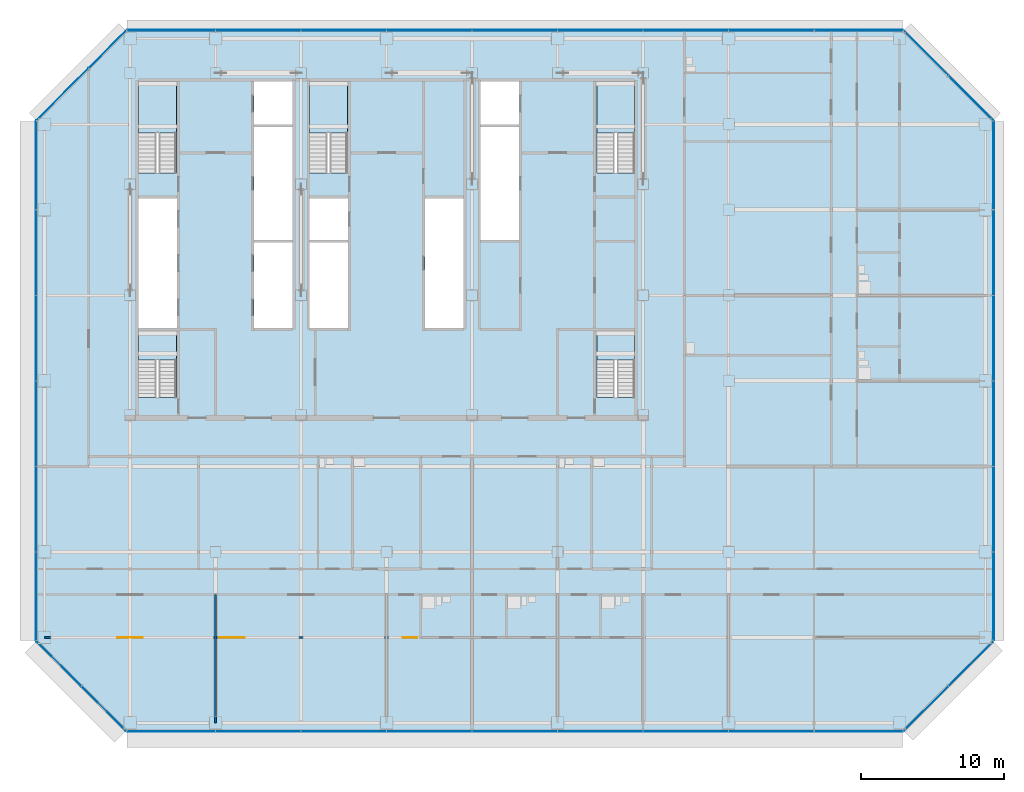
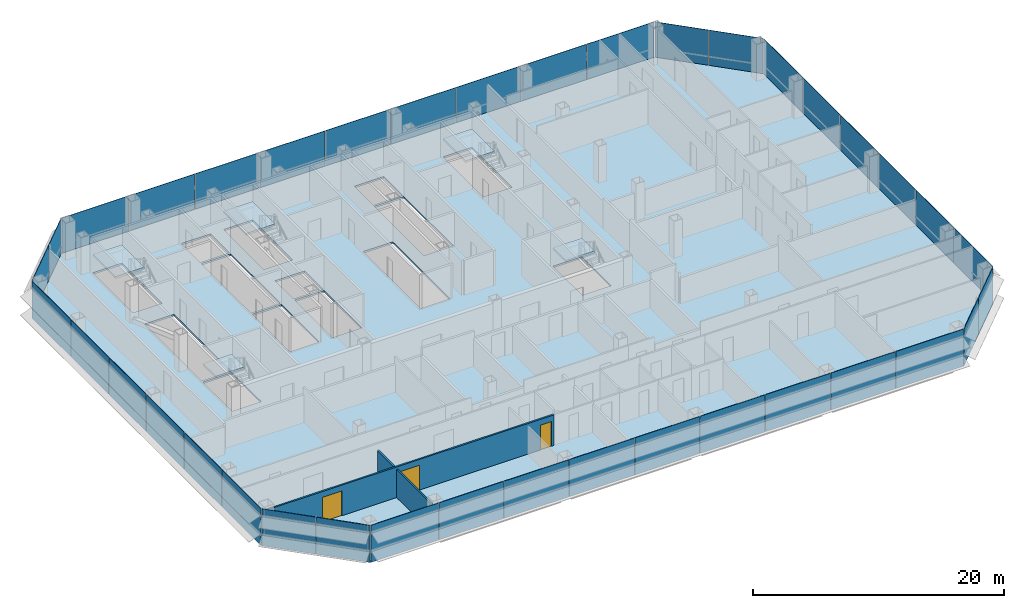
# One storey, part 19 of 26: 38 plates, 6 slabs, 3 doors, 2 walls, 3 openings, 13 elements without a shape of their own.
"""IFC4 building model written with IfcOpenShell, lengths in metres."""

import ifcopenshell
import ifcopenshell.guid

model = None  # the IFC model being written
_history = None  # IfcOwnerHistory: only IFC2X3 demands one
_inside = {}  # id of a spatial element -> (the spatial element, [elements in it])
_under = {}  # id of a project, library or spatial element -> (it, [spatial elements below it])
_declared = {}  # id of a project -> (the project, [libraries it declares])
_typed = {}  # id of a type object -> (the type object, [elements of that type])
_made_of = {}  # id of a material, layer set ... -> (it, [elements and type objects made of it])


def new_model(schema):
    """Start an empty IFC model of exactly this schema.

    Asked for "IFC4X3", IfcOpenShell would pick the latest addendum, in which some entities
    have other attributes; the version numbers below select the first issue.
    IFC2X3 requires an IfcOwnerHistory on every rooted entity: one is made here for all.
    """
    global model, _history
    if schema == "IFC4X3":
        model = ifcopenshell.file(schema_version=(4, 3, 0, 0))
    else:
        model = ifcopenshell.file(schema=schema)
    _inside.clear()
    _under.clear()
    _declared.clear()
    _typed.clear()
    _made_of.clear()
    _history = None
    if model.schema == "IFC2X3":
        org = make("IfcOrganization", Name="unknown")
        user = make(
            "IfcPersonAndOrganization",
            ThePerson=make("IfcPerson", FamilyName="unknown"),
            TheOrganization=org,
        )
        app = make(
            "IfcApplication",
            ApplicationDeveloper=org,
            Version="unknown",
            ApplicationFullName="unknown",
            ApplicationIdentifier="unknown",
        )
        _history = make(
            "IfcOwnerHistory",
            OwningUser=user,
            OwningApplication=app,
            ChangeAction="ADDED",
            CreationDate=0,
        )
    return model


def make(cls, **values):
    """One entity of the class cls with the attributes given. An attribute that is None is left unset."""
    return model.create_entity(
        cls, **{name: value for name, value in values.items() if value is not None}
    )


def rooted(cls, **values):
    """An entity with a GlobalId (a new one), such as an element, a storey or a relation."""
    return make(cls, GlobalId=ifcopenshell.guid.new(), OwnerHistory=_history, **values)


def si_unit(unit_type, name, prefix=None):
    """IfcSIUnit, for example si_unit("LENGTHUNIT", "METRE", prefix="MILLI")."""
    return make("IfcSIUnit", UnitType=unit_type, Prefix=prefix, Name=name)


def assignment(units):
    """IfcUnitAssignment: the units of a project."""
    return None if units is None else make("IfcUnitAssignment", Units=units)


def point(xyz):
    """IfcCartesianPoint."""
    return None if xyz is None else make("IfcCartesianPoint", Coordinates=xyz)


def direction(xyz):
    """IfcDirection."""
    return None if xyz is None else make("IfcDirection", DirectionRatios=xyz)


def frame(location, z_axis=None, x_axis=None):
    """IfcAxis2Placement3D, a coordinate frame: its origin and axes. An axis left out is left unset."""
    return make(
        "IfcAxis2Placement3D",
        Location=point(location),
        Axis=direction(z_axis),
        RefDirection=direction(x_axis),
    )


def frame_2d(location, x_axis=None):
    """IfcAxis2Placement2D, a coordinate frame in the plane: its origin and x axis."""
    return make(
        "IfcAxis2Placement2D", Location=point(location), RefDirection=direction(x_axis)
    )


def origin():
    """The frame at (0, 0, 0) with its axes left unset."""
    return frame((0.0, 0.0, 0.0))


def origin_2d():
    """The frame at (0, 0) in the plane with its x axis left unset."""
    return frame_2d((0.0, 0.0))


def place(relative_to, where):
    """IfcLocalPlacement: puts the frame where relative to a parent placement (None: the world)."""
    return make(
        "IfcLocalPlacement", PlacementRelTo=relative_to, RelativePlacement=where
    )


def context(
    kind, dimensions, precision=None, world=None, true_north=None, identifier=None
):
    """IfcGeometricRepresentationContext, for example the 3D "Model" context."""
    return make(
        "IfcGeometricRepresentationContext",
        ContextIdentifier=identifier,
        ContextType=kind,
        CoordinateSpaceDimension=dimensions,
        Precision=precision,
        WorldCoordinateSystem=world,
        TrueNorth=true_north,
    )


def subcontext(parent, identifier, kind, view, scale=None):
    """IfcGeometricRepresentationSubContext, for example "Body" below "Model"."""
    return make(
        "IfcGeometricRepresentationSubContext",
        ContextIdentifier=identifier,
        ContextType=kind,
        ParentContext=parent,
        TargetScale=scale,
        TargetView=view,
    )


def project(units=None, contexts=None):
    """IfcProject with its units and contexts."""
    return rooted(
        "IfcProject",
        Name="project",
        RepresentationContexts=contexts,
        UnitsInContext=assignment(units),
    )


def spatial(cls, under=None, at=None, **own):
    """A site, building, storey or space (cls), placed at a placement, below another one or the project."""
    s = rooted(cls, ObjectPlacement=at, **own)
    if under is not None:
        _under.setdefault(under.id(), (under, []))[1].append(s)
    return s


def polyline(points):
    """IfcPolyline through the points."""
    return make("IfcPolyline", Points=[point(p) for p in points])


def profile(cls, at=None, kind="AREA", **sizes):
    """A parametric profile (cls). Its sizes go by their IFC names, for example OverallWidth=200.0."""
    return make(cls, ProfileType=kind, Position=at, **sizes)


def rectangle(**sizes):
    """IfcRectangleProfileDef."""
    return profile("IfcRectangleProfileDef", **sizes)


def outline(outer, holes=None, kind="AREA"):
    """IfcArbitraryClosedProfileDef: a profile drawn as a closed curve; with holes, ...WithVoids."""
    if holes is None:
        return make("IfcArbitraryClosedProfileDef", ProfileType=kind, OuterCurve=outer)
    return make(
        "IfcArbitraryProfileDefWithVoids",
        ProfileType=kind,
        OuterCurve=outer,
        InnerCurves=holes,
    )


def extrude(swept, where, along, depth):
    """IfcExtrudedAreaSolid: the profile swept, set in the frame where, extruded along a direction by depth."""
    return make(
        "IfcExtrudedAreaSolid",
        SweptArea=swept,
        Position=where,
        ExtrudedDirection=direction(along),
        Depth=depth,
    )


def shape(context_of_items, identifier, shape_type, items):
    """IfcShapeRepresentation: the items that make up one representation, for example the "Body"."""
    return make(
        "IfcShapeRepresentation",
        ContextOfItems=context_of_items,
        RepresentationIdentifier=identifier,
        RepresentationType=shape_type,
        Items=items,
    )


def material(Name=None, Category=None):
    """IfcMaterial."""
    return make("IfcMaterial", Name=Name, Category=Category)


def layer(
    of_material, thickness, ventilated=None, Name=None, Category=None, Priority=None
):
    """IfcMaterialLayer: one layer of a wall or slab, of a material (None: an air gap)."""
    return make(
        "IfcMaterialLayer",
        Material=of_material,
        LayerThickness=thickness,
        IsVentilated=ventilated,
        Name=Name,
        Category=Category,
        Priority=Priority,
    )


def layer_set(layers, Name=None):
    """IfcMaterialLayerSet."""
    return make("IfcMaterialLayerSet", MaterialLayers=layers, LayerSetName=Name)


def made_of(thing, what):
    """Note that an element or type object is made of a material, layer set ...; save() writes the relation."""
    if what is not None:
        _made_of.setdefault(what.id(), (what, []))[1].append(thing)
    return thing


def type_object(cls, material=None, **own):
    """A type object (cls), such as IfcWallType, which elements share."""
    return made_of(rooted(cls, **own), material)


def element(
    cls,
    number,
    at=None,
    inside=None,
    cuts=None,
    type_object=None,
    material=None,
    context=None,
    identifier="Body",
    shape_type=None,
    held_by="IfcProductDefinitionShape",
    body=None,
    shapes=None,
    **own,
):
    """One element of the class cls, such as IfcWall. Its Tag is "e" and its number.

    at: its placement. inside: the storey or other place that contains it. cuts: it is an
    opening in that element (IfcRelVoidsElement). A single representation is given by context,
    identifier, shape_type and body (its items); several are given by shapes. held_by: the class
    of the entity that holds the representations. save() writes the other relations.
    """
    e = rooted(cls, Tag="e%d" % number, ObjectPlacement=at, **own)
    if body is not None:
        shapes = [shape(context, identifier, shape_type, body)]
    if shapes is not None:
        e.Representation = make(held_by, Representations=shapes)
    if inside is not None:
        _inside.setdefault(inside.id(), (inside, []))[1].append(e)
    if cuts is not None:
        rooted(
            "IfcRelVoidsElement", RelatingBuildingElement=cuts, RelatedOpeningElement=e
        )
    if type_object is not None:
        _typed.setdefault(type_object.id(), (type_object, []))[1].append(e)
    return made_of(e, material)


def fill(opening, filler):
    """IfcRelFillsElement: the door or window that sits in an opening."""
    return rooted(
        "IfcRelFillsElement",
        RelatingOpeningElement=opening,
        RelatedBuildingElement=filler,
    )


def aggregate(whole, parts):
    """IfcRelAggregates: a whole, such as a stair, and the parts it consists of."""
    return rooted("IfcRelAggregates", RelatingObject=whole, RelatedObjects=parts)


def save(model, path):
    """Write the relations noted so far, then the file.

    IfcRelAggregates (storeys below a building ...), IfcRelContainedInSpatialStructure (elements
    in a storey), IfcRelDefinesByType, IfcRelAssociatesMaterial and IfcRelDeclares: one each for
    every whole, place, type object, material and project.
    """
    for whole, parts in _under.values():
        aggregate(whole, parts)
    for where, things in _inside.values():
        rooted(
            "IfcRelContainedInSpatialStructure",
            RelatedElements=things,
            RelatingStructure=where,
        )
    for kind, things in _typed.values():
        rooted("IfcRelDefinesByType", RelatedObjects=things, RelatingType=kind)
    for what, things in _made_of.values():
        rooted("IfcRelAssociatesMaterial", RelatedObjects=things, RelatingMaterial=what)
    for by, libraries in _declared.values():
        rooted("IfcRelDeclares", RelatingContext=by, RelatedDefinitions=libraries)
    model.write(path)


model = new_model("IFC4")

# Units and contexts
model_context = context("Model", 3, precision=1e-05, world=origin(), true_north=direction((0.0, 1.0)))
body_context = subcontext(model_context, "Body", "Model", "MODEL_VIEW")
ifc_project = project(units=[si_unit("LENGTHUNIT", "METRE"), si_unit("AREAUNIT", "SQUARE_METRE"), si_unit("VOLUMEUNIT", "CUBIC_METRE"), si_unit("PLANEANGLEUNIT", "RADIAN"), si_unit("MASSUNIT", "GRAM", prefix="KILO")], contexts=[model_context])

# Site, building, storey
site_placement = place(None, origin())
site = spatial("IfcSite", under=ifc_project, at=site_placement, CompositionType="ELEMENT")
building_placement = place(site_placement, origin())
building = spatial("IfcBuilding", under=site, at=building_placement, Name="Sorahane Residences", CompositionType="ELEMENT")
storey_placement = place(building_placement, frame((0.0, 0.0, 67.800048828125)))
storey = spatial("IfcBuildingStorey", under=building, at=storey_placement, Name="L13", CompositionType="ELEMENT", Elevation=67.800048828125)

# Slab
ifc_material_1 = material(Name="Concrete C35", Category="concrete")
ifc_layer_1 = layer(ifc_material_1, 0.179931640625)
ifc_layer_set_1 = layer_set([ifc_layer_1], Name="Composite floor slab 180 mm Concrete C35")
slab_type_1 = type_object("IfcSlabType", Name="Composite floor slab 180 mm Concrete C35", PredefinedType="FLOOR", material=ifc_layer_set_1)
slab_1_placement = place(storey_placement, frame((0.0, 0.0, -0.179931640625)))
element("IfcSlab", 1, at=slab_1_placement, inside=storey, type_object=slab_type_1, Name="Slab L13", PredefinedType="FLOOR", context=body_context, shape_type="SweptSolid", body=[
    extrude(outline(polyline([(5.75146484375, -0.60009765625), (-0.60009765625, 5.75146484375), (-0.60009765625, 42.24853515625), (5.75146484375, 48.60009765625), (60.24853515625, 48.60009765625), (66.60009765625, 42.24853515625), (66.60009765625, 5.75146484375), (60.24853515625, -0.60009765625), (5.75146484375, -0.60009765625)]), holes=[polyline([(18.60009765625, 27.699951171875), (21.300048828125, 27.699951171875), (21.300048828125, 33.699951171875), (18.60009765625, 33.699951171875), (18.60009765625, 27.699951171875)]), polyline([(30.60009765625, 42.0), (33.300048828125, 42.0), (33.300048828125, 45.0), (30.60009765625, 45.0), (30.60009765625, 42.0)]), polyline([(14.699951171875, 27.699951171875), (17.39990234375, 27.699951171875), (17.39990234375, 33.699951171875), (14.699951171875, 33.699951171875), (14.699951171875, 27.699951171875)]), polyline([(14.699951171875, 42.0), (17.39990234375, 42.0), (17.39990234375, 45.0), (14.699951171875, 45.0), (14.699951171875, 42.0)]), polyline([(6.60009765625, 27.699951171875), (9.300048828125, 27.699951171875), (9.300048828125, 36.800048828125), (6.60009765625, 36.800048828125), (6.60009765625, 27.699951171875)]), polyline([(9.25, 38.60009765625), (9.25, 45.0), (6.60009765625, 45.0), (6.60009765625, 38.60009765625), (9.25, 38.60009765625)]), polyline([(41.39990234375, 38.60009765625), (41.39990234375, 45.0), (38.75, 45.0), (38.75, 38.60009765625), (41.39990234375, 38.60009765625)]), polyline([(21.25, 38.60009765625), (21.25, 45.0), (18.60009765625, 45.0), (18.60009765625, 38.60009765625), (21.25, 38.60009765625)]), polyline([(9.25, 22.85009765625), (9.25, 27.5), (6.60009765625, 27.5), (6.60009765625, 22.85009765625), (9.25, 22.85009765625)]), polyline([(41.39990234375, 22.85009765625), (41.39990234375, 27.5), (38.75, 27.5), (38.75, 22.85009765625), (41.39990234375, 22.85009765625)]), polyline([(14.699951171875, 33.89990234375), (17.39990234375, 33.89990234375), (17.39990234375, 41.800048828125), (14.699951171875, 41.800048828125), (14.699951171875, 33.89990234375)]), polyline([(30.60009765625, 33.89990234375), (33.300048828125, 33.89990234375), (33.300048828125, 41.800048828125), (30.60009765625, 41.800048828125), (30.60009765625, 33.89990234375)]), polyline([(18.60009765625, 33.89990234375), (21.300048828125, 33.89990234375), (21.300048828125, 36.800048828125), (18.60009765625, 36.800048828125), (18.60009765625, 33.89990234375)]), polyline([(26.699951171875, 27.699951171875), (29.39990234375, 27.699951171875), (29.39990234375, 36.800048828125), (26.699951171875, 36.800048828125), (26.699951171875, 27.699951171875)])]), origin(), (0.0, 0.0, 1.0), 0.179931640625),
])

# Curtain wall, plates
ifc_material_2 = material(Name="Dark low-e glass and black anodised aluminium", Category="aluminium")
curtain_wall_type_1 = type_object("IfcCurtainWallType", Name="Curtain wall CW-1 Typical unitised wall", PredefinedType="NOTDEFINED", material=ifc_material_2)
curtain_wall_1_placement = place(storey_placement, origin())
curtain_wall_1 = element("IfcCurtainWall", 2, at=curtain_wall_1_placement, inside=storey, type_object=curtain_wall_type_1, Name="CW-1 curtain wall L13 S1", PredefinedType="NOTDEFINED")
ifc_material_3 = material(Name="Dark low-e glass with black ceramic frit", Category="glass")
ifc_layer_2 = layer(ifc_material_3, 0.0400390625)
ifc_layer_set_2 = layer_set([ifc_layer_2], Name="Curtain wall glass panel dark low-e with black frit spandrel band")
plate_type = type_object("IfcPlateType", Name="Curtain wall glass panel dark low-e with black frit spandrel band", PredefinedType="CURTAIN_PANEL", material=ifc_layer_set_2)
plate_1_placement = place(storey_placement, frame((8.88818359375, -0.60009765625, -0.18017578125), z_axis=(0.0, 0.0, 1.0), x_axis=(1.0, 0.0, 0.0)))
plate_1 = element("IfcPlate", 3, at=plate_1_placement, type_object=plate_type, Name="CW-1 glass panel L13 S1.1", PredefinedType="CURTAIN_PANEL", context=body_context, shape_type="SweptSolid", body=[
    extrude(rectangle(XDim=6.173583984375, YDim=0.0400390625, at=origin_2d()), origin(), (0.0, 0.0, 1.0), 3.60009765625),
])
plate_2_placement = place(storey_placement, frame((15.0, -0.60009765625, -0.18017578125), z_axis=(0.0, 0.0, 1.0), x_axis=(1.0, 0.0, 0.0)))
plate_2 = element("IfcPlate", 4, at=plate_2_placement, type_object=plate_type, Name="CW-1 glass panel L13 S1.2", PredefinedType="CURTAIN_PANEL", context=body_context, shape_type="SweptSolid", body=[
    extrude(rectangle(XDim=5.949951171875, YDim=0.0400390625, at=origin_2d()), origin(), (0.0, 0.0, 1.0), 3.60009765625),
])
plate_3_placement = place(storey_placement, frame((21.0, -0.60009765625, -0.18017578125), z_axis=(0.0, 0.0, 1.0), x_axis=(1.0, 0.0, 0.0)))
plate_3 = element("IfcPlate", 5, at=plate_3_placement, type_object=plate_type, Name="CW-1 glass panel L13 S1.3", PredefinedType="CURTAIN_PANEL", context=body_context, shape_type="SweptSolid", body=[
    extrude(rectangle(XDim=5.949951171875, YDim=0.0400390625, at=origin_2d()), origin(), (0.0, 0.0, 1.0), 3.60009765625),
])
plate_4_placement = place(storey_placement, frame((27.0, -0.60009765625, -0.18017578125), z_axis=(0.0, 0.0, 1.0), x_axis=(1.0, 0.0, 0.0)))
plate_4 = element("IfcPlate", 6, at=plate_4_placement, type_object=plate_type, Name="CW-1 glass panel L13 S1.4", PredefinedType="CURTAIN_PANEL", context=body_context, shape_type="SweptSolid", body=[
    extrude(rectangle(XDim=5.949951171875, YDim=0.0400390625, at=origin_2d()), origin(), (0.0, 0.0, 1.0), 3.60009765625),
])
plate_5_placement = place(storey_placement, frame((33.0, -0.60009765625, -0.18017578125), z_axis=(0.0, 0.0, 1.0), x_axis=(1.0, 0.0, 0.0)))
plate_5 = element("IfcPlate", 7, at=plate_5_placement, type_object=plate_type, Name="CW-1 glass panel L13 S1.5", PredefinedType="CURTAIN_PANEL", context=body_context, shape_type="SweptSolid", body=[
    extrude(rectangle(XDim=5.949951171875, YDim=0.0400390625, at=origin_2d()), origin(), (0.0, 0.0, 1.0), 3.60009765625),
])
plate_6_placement = place(storey_placement, frame((39.0, -0.60009765625, -0.18017578125), z_axis=(0.0, 0.0, 1.0), x_axis=(1.0, 0.0, 0.0)))
plate_6 = element("IfcPlate", 8, at=plate_6_placement, type_object=plate_type, Name="CW-1 glass panel L13 S1.6", PredefinedType="CURTAIN_PANEL", context=body_context, shape_type="SweptSolid", body=[
    extrude(rectangle(XDim=5.949951171875, YDim=0.0400390625, at=origin_2d()), origin(), (0.0, 0.0, 1.0), 3.60009765625),
])
plate_7_placement = place(storey_placement, frame((45.0, -0.60009765625, -0.18017578125), z_axis=(0.0, 0.0, 1.0), x_axis=(1.0, 0.0, 0.0)))
plate_7 = element("IfcPlate", 9, at=plate_7_placement, type_object=plate_type, Name="CW-1 glass panel L13 S1.7", PredefinedType="CURTAIN_PANEL", context=body_context, shape_type="SweptSolid", body=[
    extrude(rectangle(XDim=5.949951171875, YDim=0.0400390625, at=origin_2d()), origin(), (0.0, 0.0, 1.0), 3.60009765625),
])
plate_8_placement = place(storey_placement, frame((51.0, -0.60009765625, -0.18017578125), z_axis=(0.0, 0.0, 1.0), x_axis=(1.0, 0.0, 0.0)))
plate_8 = element("IfcPlate", 10, at=plate_8_placement, type_object=plate_type, Name="CW-1 glass panel L13 S1.8", PredefinedType="CURTAIN_PANEL", context=body_context, shape_type="SweptSolid", body=[
    extrude(rectangle(XDim=5.949951171875, YDim=0.0400390625, at=origin_2d()), origin(), (0.0, 0.0, 1.0), 3.60009765625),
])
plate_9_placement = place(storey_placement, frame((57.11181640625, -0.60009765625, -0.18017578125), z_axis=(0.0, 0.0, 1.0), x_axis=(1.0, 0.0, 0.0)))
plate_9 = element("IfcPlate", 11, at=plate_9_placement, type_object=plate_type, Name="CW-1 glass panel L13 S1.9", PredefinedType="CURTAIN_PANEL", context=body_context, shape_type="SweptSolid", body=[
    extrude(rectangle(XDim=6.173583984375, YDim=0.0400390625, at=origin_2d()), origin(), (0.0, 0.0, 1.0), 3.60009765625),
])
aggregate(curtain_wall_1, [plate_1, plate_2, plate_3, plate_4, plate_5, plate_6, plate_7, plate_8, plate_9])

ifc_material_4 = material(Name="Dark low-e glass and black anodised aluminium", Category="aluminium")
curtain_wall_type_2 = type_object("IfcCurtainWallType", Name="Curtain wall CW-2 Chamfer unitised wall", PredefinedType="NOTDEFINED", material=ifc_material_4)
curtain_wall_2_placement = place(storey_placement, origin())
curtain_wall_2 = element("IfcCurtainWall", 12, at=curtain_wall_2_placement, inside=storey, type_object=curtain_wall_type_2, Name="CW-2 curtain wall L13 SE1", PredefinedType="NOTDEFINED")
plate_10_placement = place(storey_placement, frame((61.84521484375, 0.996826171875, -0.18017578125), z_axis=(0.0, 0.0, 1.0), x_axis=(0.707106781187, 0.707106781187, 0.0)))
plate_10 = element("IfcPlate", 13, at=plate_10_placement, type_object=plate_type, Name="CW-2 glass panel L13 SE1.1", PredefinedType="CURTAIN_PANEL", context=body_context, shape_type="SweptSolid", body=[
    extrude(rectangle(XDim=4.416259765625, YDim=0.0400390625, at=origin_2d()), origin(), (0.0, 0.0, 1.0), 3.60009765625),
])
plate_11_placement = place(storey_placement, frame((65.003173828125, 4.15478515625, -0.18017578125), z_axis=(0.0, 0.0, 1.0), x_axis=(0.707106781187, 0.707106781187, 0.0)))
plate_11 = element("IfcPlate", 14, at=plate_11_placement, type_object=plate_type, Name="CW-2 glass panel L13 SE1.2", PredefinedType="CURTAIN_PANEL", context=body_context, shape_type="SweptSolid", body=[
    extrude(rectangle(XDim=4.416259765625, YDim=0.0400390625, at=origin_2d()), origin(), (0.0, 0.0, 1.0), 3.60009765625),
])
aggregate(curtain_wall_2, [plate_10, plate_11])

curtain_wall_3_placement = place(storey_placement, origin())
curtain_wall_3 = element("IfcCurtainWall", 15, at=curtain_wall_3_placement, inside=storey, type_object=curtain_wall_type_1, Name="CW-1 curtain wall L13 E1", PredefinedType="NOTDEFINED")
plate_12_placement = place(storey_placement, frame((66.60009765625, 8.88818359375, -0.18017578125), z_axis=(0.0, 0.0, 1.0), x_axis=(0.0, 1.0, 0.0)))
plate_12 = element("IfcPlate", 16, at=plate_12_placement, type_object=plate_type, Name="CW-1 glass panel L13 E1.1", PredefinedType="CURTAIN_PANEL", context=body_context, shape_type="SweptSolid", body=[
    extrude(rectangle(XDim=6.173583984375, YDim=0.0400390625, at=origin_2d()), origin(), (0.0, 0.0, 1.0), 3.60009765625),
])
plate_13_placement = place(storey_placement, frame((66.60009765625, 15.0, -0.18017578125), z_axis=(0.0, 0.0, 1.0), x_axis=(0.0, 1.0, 0.0)))
plate_13 = element("IfcPlate", 17, at=plate_13_placement, type_object=plate_type, Name="CW-1 glass panel L13 E1.2", PredefinedType="CURTAIN_PANEL", context=body_context, shape_type="SweptSolid", body=[
    extrude(rectangle(XDim=5.949951171875, YDim=0.0400390625, at=origin_2d()), origin(), (0.0, 0.0, 1.0), 3.60009765625),
])
plate_14_placement = place(storey_placement, frame((66.60009765625, 21.0, -0.18017578125), z_axis=(0.0, 0.0, 1.0), x_axis=(0.0, 1.0, 0.0)))
plate_14 = element("IfcPlate", 18, at=plate_14_placement, type_object=plate_type, Name="CW-1 glass panel L13 E1.3", PredefinedType="CURTAIN_PANEL", context=body_context, shape_type="SweptSolid", body=[
    extrude(rectangle(XDim=5.949951171875, YDim=0.0400390625, at=origin_2d()), origin(), (0.0, 0.0, 1.0), 3.60009765625),
])
plate_15_placement = place(storey_placement, frame((66.60009765625, 27.0, -0.18017578125), z_axis=(0.0, 0.0, 1.0), x_axis=(0.0, 1.0, 0.0)))
plate_15 = element("IfcPlate", 19, at=plate_15_placement, type_object=plate_type, Name="CW-1 glass panel L13 E1.4", PredefinedType="CURTAIN_PANEL", context=body_context, shape_type="SweptSolid", body=[
    extrude(rectangle(XDim=5.949951171875, YDim=0.0400390625, at=origin_2d()), origin(), (0.0, 0.0, 1.0), 3.60009765625),
])
plate_16_placement = place(storey_placement, frame((66.60009765625, 33.0, -0.18017578125), z_axis=(0.0, 0.0, 1.0), x_axis=(0.0, 1.0, 0.0)))
plate_16 = element("IfcPlate", 20, at=plate_16_placement, type_object=plate_type, Name="CW-1 glass panel L13 E1.5", PredefinedType="CURTAIN_PANEL", context=body_context, shape_type="SweptSolid", body=[
    extrude(rectangle(XDim=5.949951171875, YDim=0.0400390625, at=origin_2d()), origin(), (0.0, 0.0, 1.0), 3.60009765625),
])
plate_17_placement = place(storey_placement, frame((66.60009765625, 39.11181640625, -0.18017578125), z_axis=(0.0, 0.0, 1.0), x_axis=(0.0, 1.0, 0.0)))
plate_17 = element("IfcPlate", 21, at=plate_17_placement, type_object=plate_type, Name="CW-1 glass panel L13 E1.6", PredefinedType="CURTAIN_PANEL", context=body_context, shape_type="SweptSolid", body=[
    extrude(rectangle(XDim=6.173583984375, YDim=0.0400390625, at=origin_2d()), origin(), (0.0, 0.0, 1.0), 3.60009765625),
])
aggregate(curtain_wall_3, [plate_12, plate_13, plate_14, plate_15, plate_16, plate_17])

curtain_wall_4_placement = place(storey_placement, origin())
curtain_wall_4 = element("IfcCurtainWall", 22, at=curtain_wall_4_placement, inside=storey, type_object=curtain_wall_type_2, Name="CW-2 curtain wall L13 NE1", PredefinedType="NOTDEFINED")
plate_18_placement = place(storey_placement, frame((65.003173828125, 43.84521484375, -0.18017578125), z_axis=(0.0, 0.0, 1.0), x_axis=(-0.707106781187, 0.707106781187, 0.0)))
plate_18 = element("IfcPlate", 23, at=plate_18_placement, type_object=plate_type, Name="CW-2 glass panel L13 NE1.1", PredefinedType="CURTAIN_PANEL", context=body_context, shape_type="SweptSolid", body=[
    extrude(rectangle(XDim=4.416259765625, YDim=0.0400390625, at=origin_2d()), origin(), (0.0, 0.0, 1.0), 3.60009765625),
])
plate_19_placement = place(storey_placement, frame((61.84521484375, 47.003173828125, -0.18017578125), z_axis=(0.0, 0.0, 1.0), x_axis=(-0.707106781187, 0.707106781187, 0.0)))
plate_19 = element("IfcPlate", 24, at=plate_19_placement, type_object=plate_type, Name="CW-2 glass panel L13 NE1.2", PredefinedType="CURTAIN_PANEL", context=body_context, shape_type="SweptSolid", body=[
    extrude(rectangle(XDim=4.416259765625, YDim=0.0400390625, at=origin_2d()), origin(), (0.0, 0.0, 1.0), 3.60009765625),
])
aggregate(curtain_wall_4, [plate_18, plate_19])

curtain_wall_5_placement = place(storey_placement, origin())
curtain_wall_5 = element("IfcCurtainWall", 25, at=curtain_wall_5_placement, inside=storey, type_object=curtain_wall_type_1, Name="CW-1 curtain wall L13 N1", PredefinedType="NOTDEFINED")
plate_20_placement = place(storey_placement, frame((57.11181640625, 48.60009765625, -0.18017578125), z_axis=(0.0, 0.0, 1.0), x_axis=(-1.0, 0.0, 0.0)))
plate_20 = element("IfcPlate", 26, at=plate_20_placement, type_object=plate_type, Name="CW-1 glass panel L13 N1.1", PredefinedType="CURTAIN_PANEL", context=body_context, shape_type="SweptSolid", body=[
    extrude(rectangle(XDim=6.173583984375, YDim=0.0400390625, at=origin_2d()), origin(), (0.0, 0.0, 1.0), 3.60009765625),
])
plate_21_placement = place(storey_placement, frame((51.0, 48.60009765625, -0.18017578125), z_axis=(0.0, 0.0, 1.0), x_axis=(-1.0, 0.0, 0.0)))
plate_21 = element("IfcPlate", 27, at=plate_21_placement, type_object=plate_type, Name="CW-1 glass panel L13 N1.2", PredefinedType="CURTAIN_PANEL", context=body_context, shape_type="SweptSolid", body=[
    extrude(rectangle(XDim=5.949951171875, YDim=0.0400390625, at=origin_2d()), origin(), (0.0, 0.0, 1.0), 3.60009765625),
])
plate_22_placement = place(storey_placement, frame((45.0, 48.60009765625, -0.18017578125), z_axis=(0.0, 0.0, 1.0), x_axis=(-1.0, 0.0, 0.0)))
plate_22 = element("IfcPlate", 28, at=plate_22_placement, type_object=plate_type, Name="CW-1 glass panel L13 N1.3", PredefinedType="CURTAIN_PANEL", context=body_context, shape_type="SweptSolid", body=[
    extrude(rectangle(XDim=5.949951171875, YDim=0.0400390625, at=origin_2d()), origin(), (0.0, 0.0, 1.0), 3.60009765625),
])
plate_23_placement = place(storey_placement, frame((39.0, 48.60009765625, -0.18017578125), z_axis=(0.0, 0.0, 1.0), x_axis=(-1.0, 0.0, 0.0)))
plate_23 = element("IfcPlate", 29, at=plate_23_placement, type_object=plate_type, Name="CW-1 glass panel L13 N1.4", PredefinedType="CURTAIN_PANEL", context=body_context, shape_type="SweptSolid", body=[
    extrude(rectangle(XDim=5.949951171875, YDim=0.0400390625, at=origin_2d()), origin(), (0.0, 0.0, 1.0), 3.60009765625),
])
plate_24_placement = place(storey_placement, frame((33.0, 48.60009765625, -0.18017578125), z_axis=(0.0, 0.0, 1.0), x_axis=(-1.0, 0.0, 0.0)))
plate_24 = element("IfcPlate", 30, at=plate_24_placement, type_object=plate_type, Name="CW-1 glass panel L13 N1.5", PredefinedType="CURTAIN_PANEL", context=body_context, shape_type="SweptSolid", body=[
    extrude(rectangle(XDim=5.949951171875, YDim=0.0400390625, at=origin_2d()), origin(), (0.0, 0.0, 1.0), 3.60009765625),
])
plate_25_placement = place(storey_placement, frame((27.0, 48.60009765625, -0.18017578125), z_axis=(0.0, 0.0, 1.0), x_axis=(-1.0, 0.0, 0.0)))
plate_25 = element("IfcPlate", 31, at=plate_25_placement, type_object=plate_type, Name="CW-1 glass panel L13 N1.6", PredefinedType="CURTAIN_PANEL", context=body_context, shape_type="SweptSolid", body=[
    extrude(rectangle(XDim=5.949951171875, YDim=0.0400390625, at=origin_2d()), origin(), (0.0, 0.0, 1.0), 3.60009765625),
])
plate_26_placement = place(storey_placement, frame((21.0, 48.60009765625, -0.18017578125), z_axis=(0.0, 0.0, 1.0), x_axis=(-1.0, 0.0, 0.0)))
plate_26 = element("IfcPlate", 32, at=plate_26_placement, type_object=plate_type, Name="CW-1 glass panel L13 N1.7", PredefinedType="CURTAIN_PANEL", context=body_context, shape_type="SweptSolid", body=[
    extrude(rectangle(XDim=5.949951171875, YDim=0.0400390625, at=origin_2d()), origin(), (0.0, 0.0, 1.0), 3.60009765625),
])
plate_27_placement = place(storey_placement, frame((15.0, 48.60009765625, -0.18017578125), z_axis=(0.0, 0.0, 1.0), x_axis=(-1.0, 0.0, 0.0)))
plate_27 = element("IfcPlate", 33, at=plate_27_placement, type_object=plate_type, Name="CW-1 glass panel L13 N1.8", PredefinedType="CURTAIN_PANEL", context=body_context, shape_type="SweptSolid", body=[
    extrude(rectangle(XDim=5.949951171875, YDim=0.0400390625, at=origin_2d()), origin(), (0.0, 0.0, 1.0), 3.60009765625),
])
plate_28_placement = place(storey_placement, frame((8.88818359375, 48.60009765625, -0.18017578125), z_axis=(0.0, 0.0, 1.0), x_axis=(-1.0, 0.0, 0.0)))
plate_28 = element("IfcPlate", 34, at=plate_28_placement, type_object=plate_type, Name="CW-1 glass panel L13 N1.9", PredefinedType="CURTAIN_PANEL", context=body_context, shape_type="SweptSolid", body=[
    extrude(rectangle(XDim=6.173583984375, YDim=0.0400390625, at=origin_2d()), origin(), (0.0, 0.0, 1.0), 3.60009765625),
])
aggregate(curtain_wall_5, [plate_20, plate_21, plate_22, plate_23, plate_24, plate_25, plate_26, plate_27, plate_28])

curtain_wall_6_placement = place(storey_placement, origin())
curtain_wall_6 = element("IfcCurtainWall", 35, at=curtain_wall_6_placement, inside=storey, type_object=curtain_wall_type_2, Name="CW-2 curtain wall L13 NW1", PredefinedType="NOTDEFINED")
plate_29_placement = place(storey_placement, frame((4.4169921875, 47.265625, -0.18017578125), z_axis=(0.0, 0.0, 1.0), x_axis=(-0.707106781187, -0.707106781187, 0.0)))
plate_29 = element("IfcPlate", 36, at=plate_29_placement, type_object=plate_type, Name="CW-2 glass panel L13 NW1.1", PredefinedType="CURTAIN_PANEL", context=body_context, shape_type="SweptSolid", body=[
    extrude(rectangle(XDim=3.67431640625, YDim=0.0400390625, at=origin_2d()), origin(), (0.0, 0.0, 1.0), 3.60009765625),
])
plate_30_placement = place(storey_placement, frame((1.259033203125, 44.107421875, -0.18017578125), z_axis=(0.0, 0.0, 1.0), x_axis=(-0.707106781187, -0.707106781187, 0.0)))
plate_30 = element("IfcPlate", 37, at=plate_30_placement, type_object=plate_type, Name="CW-2 glass panel L13 NW1.2", PredefinedType="CURTAIN_PANEL", context=body_context, shape_type="SweptSolid", body=[
    extrude(rectangle(XDim=5.157958984375, YDim=0.0400390625, at=origin_2d()), origin(), (0.0, 0.0, 1.0), 3.60009765625),
])
aggregate(curtain_wall_6, [plate_29, plate_30])

curtain_wall_7_placement = place(storey_placement, origin())
curtain_wall_7 = element("IfcCurtainWall", 38, at=curtain_wall_7_placement, inside=storey, type_object=curtain_wall_type_1, Name="CW-1 curtain wall L13 W1", PredefinedType="NOTDEFINED")
plate_31_placement = place(storey_placement, frame((-0.60009765625, 39.11181640625, -0.18017578125), z_axis=(0.0, 0.0, 1.0), x_axis=(0.0, -1.0, 0.0)))
plate_31 = element("IfcPlate", 39, at=plate_31_placement, type_object=plate_type, Name="CW-1 glass panel L13 W1.1", PredefinedType="CURTAIN_PANEL", context=body_context, shape_type="SweptSolid", body=[
    extrude(rectangle(XDim=6.173583984375, YDim=0.0400390625, at=origin_2d()), origin(), (0.0, 0.0, 1.0), 3.60009765625),
])
plate_32_placement = place(storey_placement, frame((-0.60009765625, 33.0, -0.18017578125), z_axis=(0.0, 0.0, 1.0), x_axis=(0.0, -1.0, 0.0)))
plate_32 = element("IfcPlate", 40, at=plate_32_placement, type_object=plate_type, Name="CW-1 glass panel L13 W1.2", PredefinedType="CURTAIN_PANEL", context=body_context, shape_type="SweptSolid", body=[
    extrude(rectangle(XDim=5.949951171875, YDim=0.0400390625, at=origin_2d()), origin(), (0.0, 0.0, 1.0), 3.60009765625),
])
plate_33_placement = place(storey_placement, frame((-0.60009765625, 27.0, -0.18017578125), z_axis=(0.0, 0.0, 1.0), x_axis=(0.0, -1.0, 0.0)))
plate_33 = element("IfcPlate", 41, at=plate_33_placement, type_object=plate_type, Name="CW-1 glass panel L13 W1.3", PredefinedType="CURTAIN_PANEL", context=body_context, shape_type="SweptSolid", body=[
    extrude(rectangle(XDim=5.949951171875, YDim=0.0400390625, at=origin_2d()), origin(), (0.0, 0.0, 1.0), 3.60009765625),
])
plate_34_placement = place(storey_placement, frame((-0.60009765625, 21.0, -0.18017578125), z_axis=(0.0, 0.0, 1.0), x_axis=(0.0, -1.0, 0.0)))
plate_34 = element("IfcPlate", 42, at=plate_34_placement, type_object=plate_type, Name="CW-1 glass panel L13 W1.4", PredefinedType="CURTAIN_PANEL", context=body_context, shape_type="SweptSolid", body=[
    extrude(rectangle(XDim=5.949951171875, YDim=0.0400390625, at=origin_2d()), origin(), (0.0, 0.0, 1.0), 3.60009765625),
])
plate_35_placement = place(storey_placement, frame((-0.60009765625, 15.0, -0.18017578125), z_axis=(0.0, 0.0, 1.0), x_axis=(0.0, -1.0, 0.0)))
plate_35 = element("IfcPlate", 43, at=plate_35_placement, type_object=plate_type, Name="CW-1 glass panel L13 W1.5", PredefinedType="CURTAIN_PANEL", context=body_context, shape_type="SweptSolid", body=[
    extrude(rectangle(XDim=5.949951171875, YDim=0.0400390625, at=origin_2d()), origin(), (0.0, 0.0, 1.0), 3.60009765625),
])
plate_36_placement = place(storey_placement, frame((-0.60009765625, 8.88818359375, -0.18017578125), z_axis=(0.0, 0.0, 1.0), x_axis=(0.0, -1.0, 0.0)))
plate_36 = element("IfcPlate", 44, at=plate_36_placement, type_object=plate_type, Name="CW-1 glass panel L13 W1.6", PredefinedType="CURTAIN_PANEL", context=body_context, shape_type="SweptSolid", body=[
    extrude(rectangle(XDim=6.173583984375, YDim=0.0400390625, at=origin_2d()), origin(), (0.0, 0.0, 1.0), 3.60009765625),
])
aggregate(curtain_wall_7, [plate_31, plate_32, plate_33, plate_34, plate_35, plate_36])

curtain_wall_8_placement = place(storey_placement, origin())
curtain_wall_8 = element("IfcCurtainWall", 45, at=curtain_wall_8_placement, inside=storey, type_object=curtain_wall_type_2, Name="CW-2 curtain wall L13 SW1", PredefinedType="NOTDEFINED")
plate_37_placement = place(storey_placement, frame((0.996826171875, 4.15478515625, -0.18017578125), z_axis=(0.0, 0.0, 1.0), x_axis=(0.707106781187, -0.707106781187, 0.0)))
plate_37 = element("IfcPlate", 46, at=plate_37_placement, type_object=plate_type, Name="CW-2 glass panel L13 SW1.1", PredefinedType="CURTAIN_PANEL", context=body_context, shape_type="SweptSolid", body=[
    extrude(rectangle(XDim=4.416259765625, YDim=0.0400390625, at=origin_2d()), origin(), (0.0, 0.0, 1.0), 3.60009765625),
])
plate_38_placement = place(storey_placement, frame((4.15478515625, 0.996826171875, -0.18017578125), z_axis=(0.0, 0.0, 1.0), x_axis=(0.707106781187, -0.707106781187, 0.0)))
plate_38 = element("IfcPlate", 47, at=plate_38_placement, type_object=plate_type, Name="CW-2 glass panel L13 SW1.2", PredefinedType="CURTAIN_PANEL", context=body_context, shape_type="SweptSolid", body=[
    extrude(rectangle(XDim=4.416259765625, YDim=0.0400390625, at=origin_2d()), origin(), (0.0, 0.0, 1.0), 3.60009765625),
])
aggregate(curtain_wall_8, [plate_37, plate_38])

# Stair, slab
ifc_material_5 = material(Name="Concrete C40", Category="concrete")
stair_type = type_object("IfcStairType", Name="Dog-leg stair 1250 Concrete C40", PredefinedType="HALF_TURN_STAIR", material=ifc_material_5)
stair_1_placement = place(storey_placement, origin())
stair_1 = element("IfcStair", 48, at=stair_1_placement, inside=storey, type_object=stair_type, Name="L13 Stair S1", PredefinedType="HALF_TURN_STAIR")
ifc_material_6 = material(Name="Concrete C40", Category="concrete")
ifc_layer_3 = layer(ifc_material_6, 0.199951171875)
ifc_layer_set_3 = layer_set([ifc_layer_3], Name="Stair landing 200 Concrete C40")
slab_type_2 = type_object("IfcSlabType", Name="Stair landing 200 Concrete C40", PredefinedType="LANDING", material=ifc_layer_set_3)
slab_2_placement = place(storey_placement, frame((0.0, 0.0, 1.599853515625)))
slab_2 = element("IfcSlab", 49, at=slab_2_placement, type_object=slab_type_2, Name="S1 landing 1", PredefinedType="LANDING", context=body_context, shape_type="SweptSolid", body=[
    extrude(outline(polyline([(9.25, 41.39990234375), (9.25, 45.0), (6.60009765625, 45.0), (6.60009765625, 41.39990234375), (9.25, 41.39990234375)])), origin(), (0.0, 0.0, 1.0), 0.2001953125),
])
aggregate(stair_1, [slab_2])

stair_2_placement = place(storey_placement, origin())
stair_2 = element("IfcStair", 50, at=stair_2_placement, inside=storey, type_object=stair_type, Name="L13 Stair S2", PredefinedType="HALF_TURN_STAIR")
slab_3_placement = place(storey_placement, frame((0.0, 0.0, 1.599853515625)))
slab_3 = element("IfcSlab", 51, at=slab_3_placement, type_object=slab_type_2, Name="S2 landing 1", PredefinedType="LANDING", context=body_context, shape_type="SweptSolid", body=[
    extrude(outline(polyline([(41.39990234375, 41.39990234375), (41.39990234375, 45.0), (38.75, 45.0), (38.75, 41.39990234375), (41.39990234375, 41.39990234375)])), origin(), (0.0, 0.0, 1.0), 0.2001953125),
])
aggregate(stair_2, [slab_3])

stair_3_placement = place(storey_placement, origin())
stair_3 = element("IfcStair", 52, at=stair_3_placement, inside=storey, type_object=stair_type, Name="L13 Stair S3", PredefinedType="HALF_TURN_STAIR")
slab_4_placement = place(storey_placement, frame((0.0, 0.0, 1.599853515625)))
slab_4 = element("IfcSlab", 53, at=slab_4_placement, type_object=slab_type_2, Name="S3 landing 1", PredefinedType="LANDING", context=body_context, shape_type="SweptSolid", body=[
    extrude(outline(polyline([(21.25, 41.39990234375), (21.25, 45.0), (18.60009765625, 45.0), (18.60009765625, 41.39990234375), (21.25, 41.39990234375)])), origin(), (0.0, 0.0, 1.0), 0.2001953125),
])
aggregate(stair_3, [slab_4])

stair_4_placement = place(storey_placement, origin())
stair_4 = element("IfcStair", 54, at=stair_4_placement, inside=storey, type_object=stair_type, Name="L13 Stair S4", PredefinedType="HALF_TURN_STAIR")
slab_5_placement = place(storey_placement, frame((0.0, 0.0, 1.599853515625)))
slab_5 = element("IfcSlab", 55, at=slab_5_placement, type_object=slab_type_2, Name="S4 landing 1", PredefinedType="LANDING", context=body_context, shape_type="SweptSolid", body=[
    extrude(outline(polyline([(9.25, 25.449951171875), (9.25, 27.5), (6.60009765625, 27.5), (6.60009765625, 25.449951171875), (9.25, 25.449951171875)])), origin(), (0.0, 0.0, 1.0), 0.2001953125),
])
aggregate(stair_4, [slab_5])

stair_5_placement = place(storey_placement, origin())
stair_5 = element("IfcStair", 56, at=stair_5_placement, inside=storey, type_object=stair_type, Name="L13 Stair S5", PredefinedType="HALF_TURN_STAIR")
slab_6_placement = place(storey_placement, frame((0.0, 0.0, 1.599853515625)))
slab_6 = element("IfcSlab", 57, at=slab_6_placement, type_object=slab_type_2, Name="S5 landing 1", PredefinedType="LANDING", context=body_context, shape_type="SweptSolid", body=[
    extrude(outline(polyline([(41.39990234375, 25.449951171875), (41.39990234375, 27.5), (38.75, 27.5), (38.75, 25.449951171875), (41.39990234375, 25.449951171875)])), origin(), (0.0, 0.0, 1.0), 0.2001953125),
])
aggregate(stair_5, [slab_6])

# Wall
ifc_material_7 = material(Name="Gypsum board partition on steel studs", Category="steel")
ifc_layer_4 = layer(ifc_material_7, 0.14990234375)
ifc_layer_set_4 = layer_set([ifc_layer_4], Name="Partition 150 EI 90")
wall_type = type_object("IfcWallType", Name="Partition 150 EI 90", PredefinedType="PARTITIONING", material=ifc_layer_set_4)
wall_1_placement = place(storey_placement, frame((12.0, 0.0, 0.0), z_axis=(0.0, 0.0, 1.0), x_axis=(0.0, 1.0, 0.0)))
element("IfcWall", 58, at=wall_1_placement, inside=storey, type_object=wall_type, Name="L13 partition", PredefinedType="PARTITIONING", context=body_context, shape_type="SweptSolid", body=[
    extrude(rectangle(XDim=9.0, YDim=0.14990234375, at=frame_2d((4.5, 0.0))), origin(), (0.0, 0.0, 1.0), 2.719970703125),
])

# Wall, openings, doors
wall_2_placement = place(storey_placement, frame((0.0, 6.0, 0.0), z_axis=(0.0, 0.0, 1.0), x_axis=(1.0, 0.0, 0.0)))
wall_2 = element("IfcWall", 59, at=wall_2_placement, inside=storey, type_object=wall_type, Name="L13 partition", PredefinedType="PARTITIONING", context=body_context, shape_type="SweptSolid", body=[
    extrude(rectangle(XDim=26.39990234375, YDim=0.14990234375, at=frame_2d((13.199951171875, 0.0))), origin(), (0.0, 0.0, 1.0), 2.969970703125),
])
opening_1_placement = place(wall_2_placement, frame((5.10009765625, 0.0, 0.0)))
opening_1 = element("IfcOpeningElement", 60, at=opening_1_placement, cuts=wall_2, Name="Opening L13-09", PredefinedType="OPENING", context=body_context, shape_type="SweptSolid", body=[
    extrude(rectangle(XDim=1.800048828125, YDim=2.39990234375, at=frame_2d((0.89990234375, 1.199951171875))), frame((0.0, 0.0849609375, 0.0), z_axis=(0.0, -1.0, 0.0), x_axis=(1.0, 0.0, 0.0)), (0.0, 0.0, 1.0), 0.169921875),
])
opening_2_placement = place(wall_2_placement, frame((12.25, 0.0, 0.0)))
opening_2 = element("IfcOpeningElement", 61, at=opening_2_placement, cuts=wall_2, Name="Opening L13-10", PredefinedType="OPENING", context=body_context, shape_type="SweptSolid", body=[
    extrude(rectangle(XDim=1.800048828125, YDim=2.39990234375, at=frame_2d((0.89990234375, 1.199951171875))), frame((0.0, 0.0849609375, 0.0), z_axis=(0.0, -1.0, 0.0), x_axis=(1.0, 0.0, 0.0)), (0.0, 0.0, 1.0), 0.169921875),
])
opening_3_placement = place(wall_2_placement, frame((25.14990234375, 0.0, 0.0)))
opening_3 = element("IfcOpeningElement", 62, at=opening_3_placement, cuts=wall_2, Name="Opening L13-11", PredefinedType="OPENING", context=body_context, shape_type="SweptSolid", body=[
    extrude(rectangle(XDim=1.0, YDim=2.39990234375, at=frame_2d((0.5, 1.199951171875))), frame((0.0, 0.0849609375, 0.0), z_axis=(0.0, -1.0, 0.0), x_axis=(1.0, 0.0, 0.0)), (0.0, 0.0, 1.0), 0.169921875),
])
ifc_material_8 = material(Name="Timber veneered fire door", Category="wood")
door_type_1 = type_object("IfcDoorType", Name="Double door 1800x2400 FD30", OperationType="NOTDEFINED", PredefinedType="DOOR", material=ifc_material_8)
door_1_placement = place(opening_1_placement, frame((1.800048828125, 0.0, 0.0), z_axis=(0.0, 0.0, 1.0), x_axis=(-1.0, 0.0, 0.0)))
door_1 = element("IfcDoor", 63, at=door_1_placement, inside=storey, type_object=door_type_1, Name="Double door L13-09", OperationType="SINGLE_SWING_LEFT", OverallHeight=2.39990234375, OverallWidth=1.800048828125, PredefinedType="DOOR", context=body_context, shape_type="SweptSolid", body=[
    extrude(rectangle(XDim=1.800048828125, YDim=2.39990234375, at=frame_2d((0.89990234375, 1.199951171875))), frame((0.0, 0.02490234375, 0.0), z_axis=(0.0, -1.0, 0.0), x_axis=(1.0, 0.0, 0.0)), (0.0, 0.0, 1.0), 0.050048828125),
])
fill(opening_1, door_1)
door_2_placement = place(opening_2_placement, frame((1.800048828125, 0.0, 0.0), z_axis=(0.0, 0.0, 1.0), x_axis=(-1.0, 0.0, 0.0)))
door_2 = element("IfcDoor", 64, at=door_2_placement, inside=storey, type_object=door_type_1, Name="Double door L13-10", OperationType="SINGLE_SWING_RIGHT", OverallHeight=2.39990234375, OverallWidth=1.800048828125, PredefinedType="DOOR", context=body_context, shape_type="SweptSolid", body=[
    extrude(rectangle(XDim=1.800048828125, YDim=2.39990234375, at=frame_2d((0.89990234375, 1.199951171875))), frame((0.0, 0.02490234375, 0.0), z_axis=(0.0, -1.0, 0.0), x_axis=(1.0, 0.0, 0.0)), (0.0, 0.0, 1.0), 0.050048828125),
])
fill(opening_2, door_2)
ifc_material_9 = material(Name="Timber veneered fire door", Category="wood")
door_type_2 = type_object("IfcDoorType", Name="Room door 1000x2400 FD30", OperationType="NOTDEFINED", PredefinedType="DOOR", material=ifc_material_9)
door_3_placement = place(opening_3_placement, frame((1.0, 0.0, 0.0), z_axis=(0.0, 0.0, 1.0), x_axis=(-1.0, 0.0, 0.0)))
door_3 = element("IfcDoor", 65, at=door_3_placement, inside=storey, type_object=door_type_2, Name="Room door L13-11", OperationType="SINGLE_SWING_LEFT", OverallHeight=2.39990234375, OverallWidth=1.0, PredefinedType="DOOR", context=body_context, shape_type="SweptSolid", body=[
    extrude(rectangle(XDim=1.0, YDim=2.39990234375, at=frame_2d((0.5, 1.199951171875))), frame((0.0, 0.02490234375, 0.0), z_axis=(0.0, -1.0, 0.0), x_axis=(1.0, 0.0, 0.0)), (0.0, 0.0, 1.0), 0.050048828125),
])
fill(opening_3, door_3)

save(model, "model.ifc")
